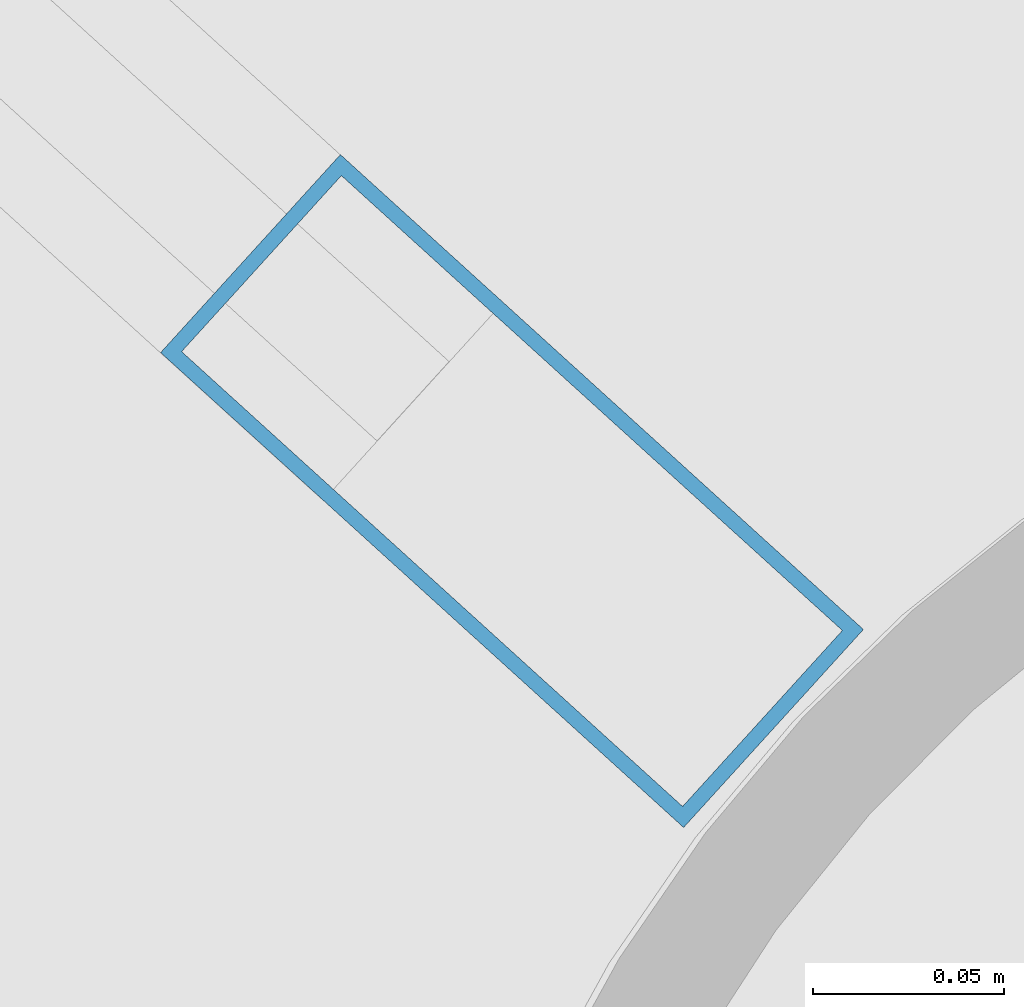
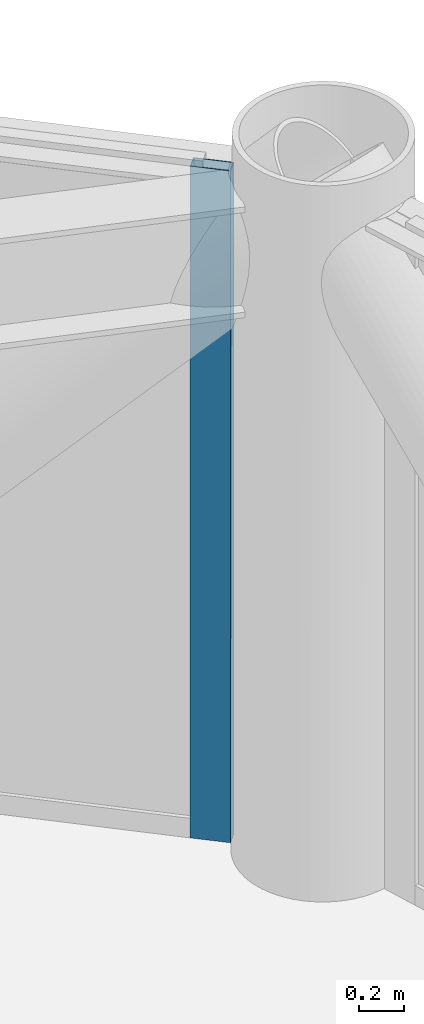
# One storey, part 14 of 23: 1 member, 1 element without a shape of its own.
"""IFC4 building model written with IfcOpenShell, lengths in metres."""

from ifc_helpers import new_model, si_unit, direction, frame, origin, origin_2d, place, context, subcontext, project, spatial, hollow_rectangle, extrude, material, layer, layer_set, material_profile, profile_set, type_object, element, aggregate, save


model = new_model("IFC4")

# Units and contexts
model_context = context("Model", 3, precision=1e-05, world=origin(), true_north=direction((0.0, 1.0)))
body_context = subcontext(model_context, "Body", "Model", "MODEL_VIEW")
ifc_project = project(units=[si_unit("LENGTHUNIT", "METRE"), si_unit("AREAUNIT", "SQUARE_METRE"), si_unit("VOLUMEUNIT", "CUBIC_METRE"), si_unit("PLANEANGLEUNIT", "RADIAN"), si_unit("MASSUNIT", "GRAM", prefix="KILO")], contexts=[model_context])

# Site, building, storey
site_placement = place(None, origin())
site = spatial("IfcSite", under=ifc_project, at=site_placement, CompositionType="ELEMENT")
building_placement = place(site_placement, origin())
building = spatial("IfcBuilding", under=site, at=building_placement, Name="Varnakorn Sky Granary", CompositionType="ELEMENT")
storey_placement = place(building_placement, frame((0.0, 0.0, 83.699951171875)))
storey = spatial("IfcBuildingStorey", under=building, at=storey_placement, Name="L20", CompositionType="ELEMENT", Elevation=83.699951171875)

# Curtain wall, member
ifc_material = material(Name="Anodised Bronze Aluminium Alloy 6063-T6", Category="aluminium")
ifc_layer = layer(ifc_material, 0.18994140625, Name="Anodised Bronze Aluminium Alloy 6063-T6")
ifc_layer_set = layer_set([ifc_layer], Name="Anodised Bronze Aluminium Alloy 6063-T6")
curtain_wall_type = type_object("IfcCurtainWallType", Name="CW-FRM-1", PredefinedType="USERDEFINED", material=ifc_layer_set)
curtain_wall_placement = place(storey_placement, origin())
curtain_wall = element("IfcCurtainWall", 1, at=curtain_wall_placement, inside=storey, type_object=curtain_wall_type, Name="Unitised Curtain Wall CW3 CW-L20-B02", ObjectType="CURTAIN WALL", PredefinedType="USERDEFINED")
ifc_material_profile = material_profile(ifc_material, hollow_rectangle(XDim=0.070068359375, YDim=0.18505859375, WallThickness=0.00390625, at=origin_2d()), Name="ALU MULL 70x185")
ifc_profile_set = profile_set([ifc_material_profile], Name="Anodised Bronze Aluminium Alloy 6063-T6")
member_type = type_object("IfcMemberType", Name="CW-FRM-1-MULL", PredefinedType="MULLION", material=ifc_profile_set)
member_placement = place(storey_placement, frame((16.92578125, 10.190673828125, 0.0), z_axis=(0.0, 0.0, 1.0), x_axis=(0.672210876204, 0.740359735476, 0.0)))
member = element("IfcMember", 2, at=member_placement, type_object=member_type, Name="CW3 mullion 5", PredefinedType="MULLION", context=body_context, shape_type="SweptSolid", body=[
    extrude(hollow_rectangle(XDim=0.070068359375, YDim=0.18505859375, WallThickness=0.00390625, at=origin_2d()), origin(), (0.0, 0.0, 1.0), 3.64013671875),
])
aggregate(curtain_wall, [member])

save(model, "model.ifc")
